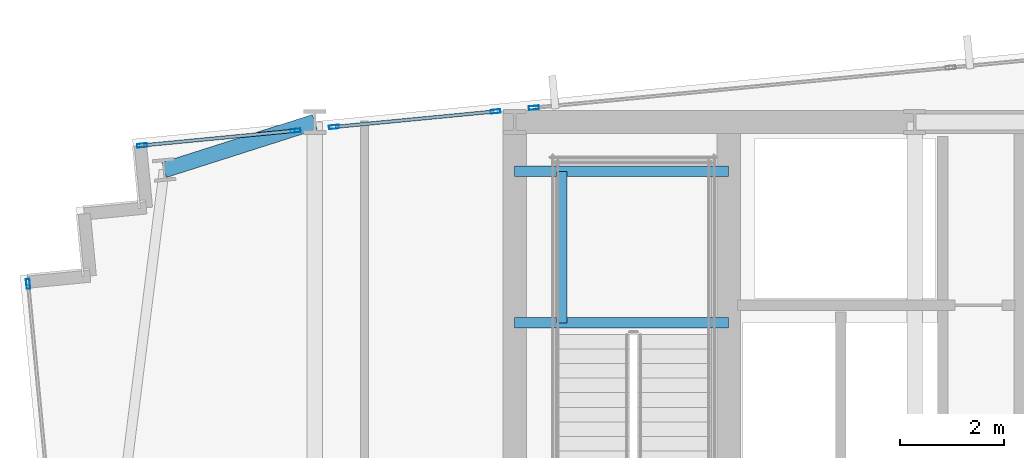
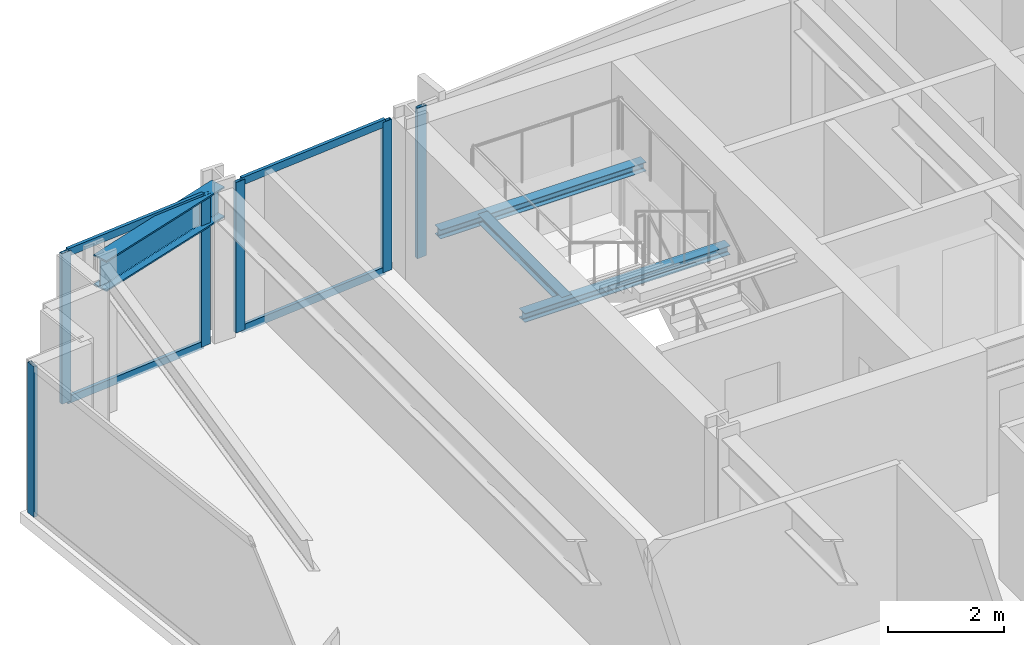
# One storey, part 17 of 32: 10 members, 4 beams, 4 elements without a shape of their own.
"""IFC4 building model written with IfcOpenShell, lengths in metres."""

import ifcopenshell
import ifcopenshell.guid

model = None  # the IFC model being written
_history = None  # IfcOwnerHistory: only IFC2X3 demands one
_inside = {}  # id of a spatial element -> (the spatial element, [elements in it])
_under = {}  # id of a project, library or spatial element -> (it, [spatial elements below it])
_declared = {}  # id of a project -> (the project, [libraries it declares])
_typed = {}  # id of a type object -> (the type object, [elements of that type])
_made_of = {}  # id of a material, layer set ... -> (it, [elements and type objects made of it])


def new_model(schema):
    """Start an empty IFC model of exactly this schema.

    Asked for "IFC4X3", IfcOpenShell would pick the latest addendum, in which some entities
    have other attributes; the version numbers below select the first issue.
    IFC2X3 requires an IfcOwnerHistory on every rooted entity: one is made here for all.
    """
    global model, _history
    if schema == "IFC4X3":
        model = ifcopenshell.file(schema_version=(4, 3, 0, 0))
    else:
        model = ifcopenshell.file(schema=schema)
    _inside.clear()
    _under.clear()
    _declared.clear()
    _typed.clear()
    _made_of.clear()
    _history = None
    if model.schema == "IFC2X3":
        org = make("IfcOrganization", Name="unknown")
        user = make(
            "IfcPersonAndOrganization",
            ThePerson=make("IfcPerson", FamilyName="unknown"),
            TheOrganization=org,
        )
        app = make(
            "IfcApplication",
            ApplicationDeveloper=org,
            Version="unknown",
            ApplicationFullName="unknown",
            ApplicationIdentifier="unknown",
        )
        _history = make(
            "IfcOwnerHistory",
            OwningUser=user,
            OwningApplication=app,
            ChangeAction="ADDED",
            CreationDate=0,
        )
    return model


def make(cls, **values):
    """One entity of the class cls with the attributes given. An attribute that is None is left unset."""
    return model.create_entity(
        cls, **{name: value for name, value in values.items() if value is not None}
    )


def rooted(cls, **values):
    """An entity with a GlobalId (a new one), such as an element, a storey or a relation."""
    return make(cls, GlobalId=ifcopenshell.guid.new(), OwnerHistory=_history, **values)


def si_unit(unit_type, name, prefix=None):
    """IfcSIUnit, for example si_unit("LENGTHUNIT", "METRE", prefix="MILLI")."""
    return make("IfcSIUnit", UnitType=unit_type, Prefix=prefix, Name=name)


def assignment(units):
    """IfcUnitAssignment: the units of a project."""
    return None if units is None else make("IfcUnitAssignment", Units=units)


def point(xyz):
    """IfcCartesianPoint."""
    return None if xyz is None else make("IfcCartesianPoint", Coordinates=xyz)


def direction(xyz):
    """IfcDirection."""
    return None if xyz is None else make("IfcDirection", DirectionRatios=xyz)


def frame(location, z_axis=None, x_axis=None):
    """IfcAxis2Placement3D, a coordinate frame: its origin and axes. An axis left out is left unset."""
    return make(
        "IfcAxis2Placement3D",
        Location=point(location),
        Axis=direction(z_axis),
        RefDirection=direction(x_axis),
    )


def frame_2d(location, x_axis=None):
    """IfcAxis2Placement2D, a coordinate frame in the plane: its origin and x axis."""
    return make(
        "IfcAxis2Placement2D", Location=point(location), RefDirection=direction(x_axis)
    )


def origin():
    """The frame at (0, 0, 0) with its axes left unset."""
    return frame((0.0, 0.0, 0.0))


def origin_2d():
    """The frame at (0, 0) in the plane with its x axis left unset."""
    return frame_2d((0.0, 0.0))


def place(relative_to, where):
    """IfcLocalPlacement: puts the frame where relative to a parent placement (None: the world)."""
    return make(
        "IfcLocalPlacement", PlacementRelTo=relative_to, RelativePlacement=where
    )


def context(
    kind, dimensions, precision=None, world=None, true_north=None, identifier=None
):
    """IfcGeometricRepresentationContext, for example the 3D "Model" context."""
    return make(
        "IfcGeometricRepresentationContext",
        ContextIdentifier=identifier,
        ContextType=kind,
        CoordinateSpaceDimension=dimensions,
        Precision=precision,
        WorldCoordinateSystem=world,
        TrueNorth=true_north,
    )


def subcontext(parent, identifier, kind, view, scale=None):
    """IfcGeometricRepresentationSubContext, for example "Body" below "Model"."""
    return make(
        "IfcGeometricRepresentationSubContext",
        ContextIdentifier=identifier,
        ContextType=kind,
        ParentContext=parent,
        TargetScale=scale,
        TargetView=view,
    )


def project(units=None, contexts=None):
    """IfcProject with its units and contexts."""
    return rooted(
        "IfcProject",
        Name="project",
        RepresentationContexts=contexts,
        UnitsInContext=assignment(units),
    )


def spatial(cls, under=None, at=None, **own):
    """A site, building, storey or space (cls), placed at a placement, below another one or the project."""
    s = rooted(cls, ObjectPlacement=at, **own)
    if under is not None:
        _under.setdefault(under.id(), (under, []))[1].append(s)
    return s


def profile(cls, at=None, kind="AREA", **sizes):
    """A parametric profile (cls). Its sizes go by their IFC names, for example OverallWidth=200.0."""
    return make(cls, ProfileType=kind, Position=at, **sizes)


def hollow_rectangle(**sizes):
    """IfcRectangleHollowProfileDef."""
    return profile("IfcRectangleHollowProfileDef", **sizes)


def i_section(**sizes):
    """IfcIShapeProfileDef."""
    return profile("IfcIShapeProfileDef", **sizes)


def extrude(swept, where, along, depth):
    """IfcExtrudedAreaSolid: the profile swept, set in the frame where, extruded along a direction by depth."""
    return make(
        "IfcExtrudedAreaSolid",
        SweptArea=swept,
        Position=where,
        ExtrudedDirection=direction(along),
        Depth=depth,
    )


def shape(context_of_items, identifier, shape_type, items):
    """IfcShapeRepresentation: the items that make up one representation, for example the "Body"."""
    return make(
        "IfcShapeRepresentation",
        ContextOfItems=context_of_items,
        RepresentationIdentifier=identifier,
        RepresentationType=shape_type,
        Items=items,
    )


def material(Name=None, Category=None):
    """IfcMaterial."""
    return make("IfcMaterial", Name=Name, Category=Category)


def material_profile(
    of_material, cross_section, Name=None, Category=None, Priority=None
):
    """IfcMaterialProfile: a cross section and its material."""
    return make(
        "IfcMaterialProfile",
        Name=Name,
        Material=of_material,
        Profile=cross_section,
        Priority=Priority,
        Category=Category,
    )


def profile_set(profiles, Name=None, composite=None):
    """IfcMaterialProfileSet."""
    return make(
        "IfcMaterialProfileSet",
        Name=Name,
        MaterialProfiles=profiles,
        CompositeProfile=composite,
    )


def made_of(thing, what):
    """Note that an element or type object is made of a material, layer set ...; save() writes the relation."""
    if what is not None:
        _made_of.setdefault(what.id(), (what, []))[1].append(thing)
    return thing


def type_object(cls, material=None, **own):
    """A type object (cls), such as IfcWallType, which elements share."""
    return made_of(rooted(cls, **own), material)


def element(
    cls,
    number,
    at=None,
    inside=None,
    cuts=None,
    type_object=None,
    material=None,
    context=None,
    identifier="Body",
    shape_type=None,
    held_by="IfcProductDefinitionShape",
    body=None,
    shapes=None,
    **own,
):
    """One element of the class cls, such as IfcWall. Its Tag is "e" and its number.

    at: its placement. inside: the storey or other place that contains it. cuts: it is an
    opening in that element (IfcRelVoidsElement). A single representation is given by context,
    identifier, shape_type and body (its items); several are given by shapes. held_by: the class
    of the entity that holds the representations. save() writes the other relations.
    """
    e = rooted(cls, Tag="e%d" % number, ObjectPlacement=at, **own)
    if body is not None:
        shapes = [shape(context, identifier, shape_type, body)]
    if shapes is not None:
        e.Representation = make(held_by, Representations=shapes)
    if inside is not None:
        _inside.setdefault(inside.id(), (inside, []))[1].append(e)
    if cuts is not None:
        rooted(
            "IfcRelVoidsElement", RelatingBuildingElement=cuts, RelatedOpeningElement=e
        )
    if type_object is not None:
        _typed.setdefault(type_object.id(), (type_object, []))[1].append(e)
    return made_of(e, material)


def aggregate(whole, parts):
    """IfcRelAggregates: a whole, such as a stair, and the parts it consists of."""
    return rooted("IfcRelAggregates", RelatingObject=whole, RelatedObjects=parts)


def save(model, path):
    """Write the relations noted so far, then the file.

    IfcRelAggregates (storeys below a building ...), IfcRelContainedInSpatialStructure (elements
    in a storey), IfcRelDefinesByType, IfcRelAssociatesMaterial and IfcRelDeclares: one each for
    every whole, place, type object, material and project.
    """
    for whole, parts in _under.values():
        aggregate(whole, parts)
    for where, things in _inside.values():
        rooted(
            "IfcRelContainedInSpatialStructure",
            RelatedElements=things,
            RelatingStructure=where,
        )
    for kind, things in _typed.values():
        rooted("IfcRelDefinesByType", RelatedObjects=things, RelatingType=kind)
    for what, things in _made_of.values():
        rooted("IfcRelAssociatesMaterial", RelatedObjects=things, RelatingMaterial=what)
    for by, libraries in _declared.values():
        rooted("IfcRelDeclares", RelatingContext=by, RelatedDefinitions=libraries)
    model.write(path)


model = new_model("IFC4")

# Units and contexts
model_context = context("Model", 3, precision=1e-05, world=origin(), true_north=direction((0.0, 1.0)))
body_context = subcontext(model_context, "Body", "Model", "MODEL_VIEW")
ifc_project = project(units=[si_unit("LENGTHUNIT", "METRE"), si_unit("AREAUNIT", "SQUARE_METRE"), si_unit("VOLUMEUNIT", "CUBIC_METRE"), si_unit("PLANEANGLEUNIT", "RADIAN"), si_unit("MASSUNIT", "GRAM", prefix="KILO")], contexts=[model_context])

# Site, building, storey
site_placement = place(None, origin())
site = spatial("IfcSite", under=ifc_project, at=site_placement, CompositionType="ELEMENT")
building_placement = place(site_placement, origin())
building = spatial("IfcBuilding", under=site, at=building_placement, Name="Yelkora Congress Tower", CompositionType="ELEMENT")
storey_placement = place(building_placement, frame((0.0, 0.0, 93.10009765625)))
storey = spatial("IfcBuildingStorey", under=building, at=storey_placement, Name="L24", CompositionType="ELEMENT", Elevation=93.10009765625)

# Beams
ifc_material_1 = material(Name="Steel S355J2", Category="steel")
ifc_material_profile_1 = material_profile(ifc_material_1, i_section(OverallWidth=0.300048828125, OverallDepth=0.64990234375, WebThickness=0.01611328125, FlangeThickness=0.031005859375, FilletRadius=0.027099609375, at=origin_2d()), Name="HEB 650")
ifc_profile_set_1 = profile_set([ifc_material_profile_1], Name="Steel S355J2")
beam_type_1 = type_object("IfcBeamType", Name="BM-GIRD-HEB650", PredefinedType="BEAM", material=ifc_profile_set_1)
beam_1_placement = place(storey_placement, frame((16.306884765625, 45.27734375, 2.85498046875), z_axis=(0.952727067409, 0.303827475759, 0.0), x_axis=(-0.303827475759, 0.952727067409, 0.0)))
element("IfcBeam", 1, at=beam_1_placement, inside=storey, type_object=beam_type_1, Name="L24 Primary Frame Girder N01", PredefinedType="BEAM", context=body_context, shape_type="SweptSolid", body=[
    extrude(i_section(OverallWidth=0.300048828125, OverallDepth=0.64990234375, WebThickness=0.01611328125, FlangeThickness=0.031005859375, FilletRadius=0.027099609375, at=origin_2d()), origin(), (0.0, 0.0, 1.0), 3.03662109375),
])
ifc_material_profile_2 = material_profile(ifc_material_1, i_section(OverallWidth=0.199951171875, OverallDepth=0.18994140625, WebThickness=0.006591796875, FlangeThickness=0.010009765625, FilletRadius=0.01806640625, at=origin_2d()), Name="HEA 200")
ifc_profile_set_2 = profile_set([ifc_material_profile_2], Name="Steel S355J2")
beam_type_2 = type_object("IfcBeamType", Name="BM-LAND-HEA200", PredefinedType="BEAM", material=ifc_profile_set_2)
for number, where, z_axis, x_axis, name in (
    (2, (23.0400390625, 42.340087890625, 1.384521484375), (1.0, 0.0, 0.0), (0.0, 1.0, 0.0), "ST-01 L24 Landing Header Beam 1S"),
    (3, (23.0400390625, 45.25, 1.384521484375), (1.0, 0.0, 0.0), (0.0, 1.0, 0.0), "ST-01 L24 Landing Header Beam 1N"),
):
    element("IfcBeam", number, at=place(storey_placement, frame(where, z_axis=z_axis, x_axis=x_axis)), inside=storey, type_object=beam_type_2, Name=name, PredefinedType="BEAM", context=body_context, shape_type="SweptSolid", body=[
        extrude(i_section(OverallWidth=0.199951171875, OverallDepth=0.18994140625, WebThickness=0.006591796875, FlangeThickness=0.010009765625, FilletRadius=0.01806640625, at=origin_2d()), origin(), (0.0, 0.0, 1.0), 4.10986328125),
    ])
beam_2_placement = place(storey_placement, frame((23.93994140625, 42.340087890625, 1.384521484375), z_axis=(0.0, 1.0, 0.0), x_axis=(-1.0, 0.0, 0.0)))
element("IfcBeam", 4, at=beam_2_placement, inside=storey, type_object=beam_type_2, Name="ST-01 L24 Landing Trimmer Beam 1M", PredefinedType="BEAM", context=body_context, shape_type="SweptSolid", body=[
    extrude(i_section(OverallWidth=0.199951171875, OverallDepth=0.18994140625, WebThickness=0.006591796875, FlangeThickness=0.010009765625, FilletRadius=0.01806640625, at=origin_2d()), origin(), (0.0, 0.0, 1.0), 2.909912109375),
])

# Curtain wall, member
ifc_material_2 = material(Name="Anodised aluminium and insulated glass", Category="aluminium")
curtain_wall_type = type_object("IfcCurtainWallType", Name="CW-SYS-B2", PredefinedType="NOTDEFINED", material=ifc_material_2)
curtain_wall_1_placement = place(storey_placement, origin())
curtain_wall_1 = element("IfcCurtainWall", 5, at=curtain_wall_1_placement, inside=storey, type_object=curtain_wall_type, Name="L24 Unitised Curtain Wall 5", PredefinedType="NOTDEFINED")
ifc_material_3 = material(Name="Anodised aluminium 6063-T6", Category="aluminium")
ifc_material_profile_3 = material_profile(ifc_material_3, hollow_rectangle(XDim=0.070068359375, YDim=0.18994140625, WallThickness=0.00390625, at=origin_2d()), Name="ALU 70x190x4")
ifc_profile_set_3 = profile_set([ifc_material_profile_3], Name="Anodised aluminium 6063-T6")
member_type_1 = type_object("IfcMemberType", Name="MEM-ML-B2", PredefinedType="MULLION", material=ifc_profile_set_3)
member_1_placement = place(storey_placement, frame((13.6943359375, 43.091796875, 0.0), z_axis=(0.0, 0.0, 1.0), x_axis=(-0.995396507508, -0.095842541913, 0.0)))
member_1 = element("IfcMember", 6, at=member_1_placement, type_object=member_type_1, Name="CW-B2 mullion 5", PredefinedType="MULLION", context=body_context, shape_type="SweptSolid", body=[
    extrude(hollow_rectangle(XDim=0.070068359375, YDim=0.18994140625, WallThickness=0.00390625, at=origin_2d()), origin(), (0.0, 0.0, 1.0), 3.179931640625),
])
aggregate(curtain_wall_1, [member_1])

# Curtain wall, members
curtain_wall_2_placement = place(storey_placement, origin())
curtain_wall_2 = element("IfcCurtainWall", 7, at=curtain_wall_2_placement, inside=storey, type_object=curtain_wall_type, Name="L24 Unitised Curtain Wall 10 (1)", PredefinedType="NOTDEFINED")
member_2_placement = place(storey_placement, frame((15.884521484375, 45.7490234375, 0.0), z_axis=(0.0, 0.0, 1.0), x_axis=(-0.095839346142, 0.99539681521, 0.0)))
member_2 = element("IfcMember", 8, at=member_2_placement, type_object=member_type_1, Name="CW-B2 mullion 1", PredefinedType="MULLION", context=body_context, shape_type="SweptSolid", body=[
    extrude(hollow_rectangle(XDim=0.070068359375, YDim=0.18994140625, WallThickness=0.00390625, at=origin_2d()), origin(), (0.0, 0.0, 1.0), 3.179931640625),
])
member_3_placement = place(storey_placement, frame((18.833251953125, 46.032958984375, 0.0), z_axis=(0.0, 0.0, 1.0), x_axis=(-0.095839346142, 0.99539681521, 0.0)))
member_3 = element("IfcMember", 9, at=member_3_placement, type_object=member_type_1, Name="CW-B2 mullion 2", PredefinedType="MULLION", context=body_context, shape_type="SweptSolid", body=[
    extrude(hollow_rectangle(XDim=0.070068359375, YDim=0.18994140625, WallThickness=0.00390625, at=origin_2d()), origin(), (0.0, 0.0, 1.0), 3.179931640625),
])

curtain_wall_3_placement = place(storey_placement, origin())
curtain_wall_3 = element("IfcCurtainWall", 10, at=curtain_wall_3_placement, inside=storey, type_object=curtain_wall_type, Name="L24 Unitised Curtain Wall 10 (2)", PredefinedType="NOTDEFINED")
member_4_placement = place(storey_placement, frame((19.56689453125, 46.103515625, 0.0), z_axis=(0.0, 0.0, 1.0), x_axis=(-0.095841399764, 0.99539661748, 0.0)))
member_4 = element("IfcMember", 11, at=member_4_placement, type_object=member_type_1, Name="CW-B2 mullion 1", PredefinedType="MULLION", context=body_context, shape_type="SweptSolid", body=[
    extrude(hollow_rectangle(XDim=0.070068359375, YDim=0.18994140625, WallThickness=0.00390625, at=origin_2d()), origin(), (0.0, 0.0, 1.0), 3.179931640625),
])
member_5_placement = place(storey_placement, frame((22.673095703125, 46.402587890625, 0.0), z_axis=(0.0, 0.0, 1.0), x_axis=(-0.095841399764, 0.99539661748, 0.0)))
member_5 = element("IfcMember", 12, at=member_5_placement, type_object=member_type_1, Name="CW-B2 mullion 2", PredefinedType="MULLION", context=body_context, shape_type="SweptSolid", body=[
    extrude(hollow_rectangle(XDim=0.070068359375, YDim=0.18994140625, WallThickness=0.00390625, at=origin_2d()), origin(), (0.0, 0.0, 1.0), 3.179931640625),
])

# Curtain wall, member
curtain_wall_4_placement = place(storey_placement, origin())
curtain_wall_4 = element("IfcCurtainWall", 13, at=curtain_wall_4_placement, inside=storey, type_object=curtain_wall_type, Name="L24 Unitised Curtain Wall 10 (3)", PredefinedType="NOTDEFINED")
member_6_placement = place(storey_placement, frame((23.40673828125, 46.473388671875, 0.0), z_axis=(0.0, 0.0, 1.0), x_axis=(-0.095844238468, 0.995396344153, 0.0)))
member_6 = element("IfcMember", 14, at=member_6_placement, type_object=member_type_1, Name="CW-B2 mullion 1", PredefinedType="MULLION", context=body_context, shape_type="SweptSolid", body=[
    extrude(hollow_rectangle(XDim=0.070068359375, YDim=0.18994140625, WallThickness=0.00390625, at=origin_2d()), origin(), (0.0, 0.0, 1.0), 3.179931640625),
])
aggregate(curtain_wall_4, [member_6])

# Member
ifc_material_profile_4 = material_profile(ifc_material_3, hollow_rectangle(XDim=0.06494140625, YDim=0.159912109375, WallThickness=0.00390625, at=origin_2d()), Name="ALU 65x160x4")
ifc_profile_set_4 = profile_set([ifc_material_profile_4], Name="Anodised aluminium 6063-T6")
member_type_2 = type_object("IfcMemberType", Name="MEM-TR-B2", PredefinedType="USERDEFINED", material=ifc_profile_set_4)
member_7_placement = place(storey_placement, frame((15.91943359375, 45.75244140625, 0.032470703125), z_axis=(0.995399744854, 0.095808913705, 0.0), x_axis=(-0.095808913705, 0.995399744854, 0.0)))
member_7 = element("IfcMember", 15, at=member_7_placement, type_object=member_type_2, Name="CW-B2 transom 1.1", ObjectType="TRANSOM", PredefinedType="USERDEFINED", context=body_context, shape_type="SweptSolid", body=[
    extrude(hollow_rectangle(XDim=0.06494140625, YDim=0.159912109375, WallThickness=0.00390625, at=origin_2d()), origin(), (0.0, 0.0, 1.0), 2.89208984375),
])

member_8_placement = place(storey_placement, frame((15.91943359375, 45.75244140625, 3.1474609375), z_axis=(0.995399744854, 0.095808913705, 0.0), x_axis=(-0.095808913705, 0.995399744854, 0.0)))
member_8 = element("IfcMember", 16, at=member_8_placement, type_object=member_type_2, Name="CW-B2 transom 1.2", ObjectType="TRANSOM", PredefinedType="USERDEFINED", context=body_context, shape_type="SweptSolid", body=[
    extrude(hollow_rectangle(XDim=0.06494140625, YDim=0.159912109375, WallThickness=0.00390625, at=origin_2d()), origin(), (0.0, 0.0, 1.0), 2.89208984375),
])

aggregate(curtain_wall_2, [member_2, member_3, member_7, member_8])

member_9_placement = place(storey_placement, frame((19.6015625, 46.10693359375, 0.032470703125), z_axis=(0.995401842144, 0.095787121557, 0.0), x_axis=(-0.095787121557, 0.995401842144, 0.0)))
member_9 = element("IfcMember", 17, at=member_9_placement, type_object=member_type_2, Name="CW-B2 transom 1.1", ObjectType="TRANSOM", PredefinedType="USERDEFINED", context=body_context, shape_type="SweptSolid", body=[
    extrude(hollow_rectangle(XDim=0.06494140625, YDim=0.159912109375, WallThickness=0.00390625, at=origin_2d()), origin(), (0.0, 0.0, 1.0), 3.05078125),
])

member_10_placement = place(storey_placement, frame((19.6015625, 46.10693359375, 3.1474609375), z_axis=(0.995401842144, 0.095787121557, 0.0), x_axis=(-0.095787121557, 0.995401842144, 0.0)))
member_10 = element("IfcMember", 18, at=member_10_placement, type_object=member_type_2, Name="CW-B2 transom 1.2", ObjectType="TRANSOM", PredefinedType="USERDEFINED", context=body_context, shape_type="SweptSolid", body=[
    extrude(hollow_rectangle(XDim=0.06494140625, YDim=0.159912109375, WallThickness=0.00390625, at=origin_2d()), origin(), (0.0, 0.0, 1.0), 3.05078125),
])

aggregate(curtain_wall_3, [member_4, member_5, member_9, member_10])

save(model, "model.ifc")
